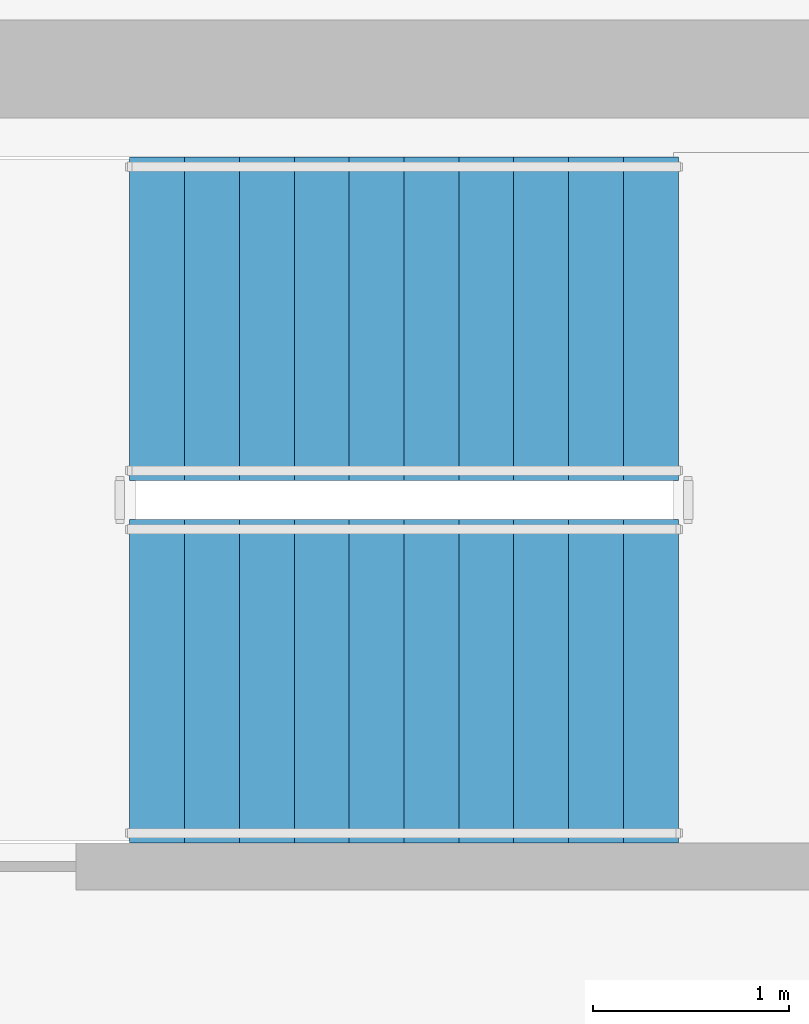
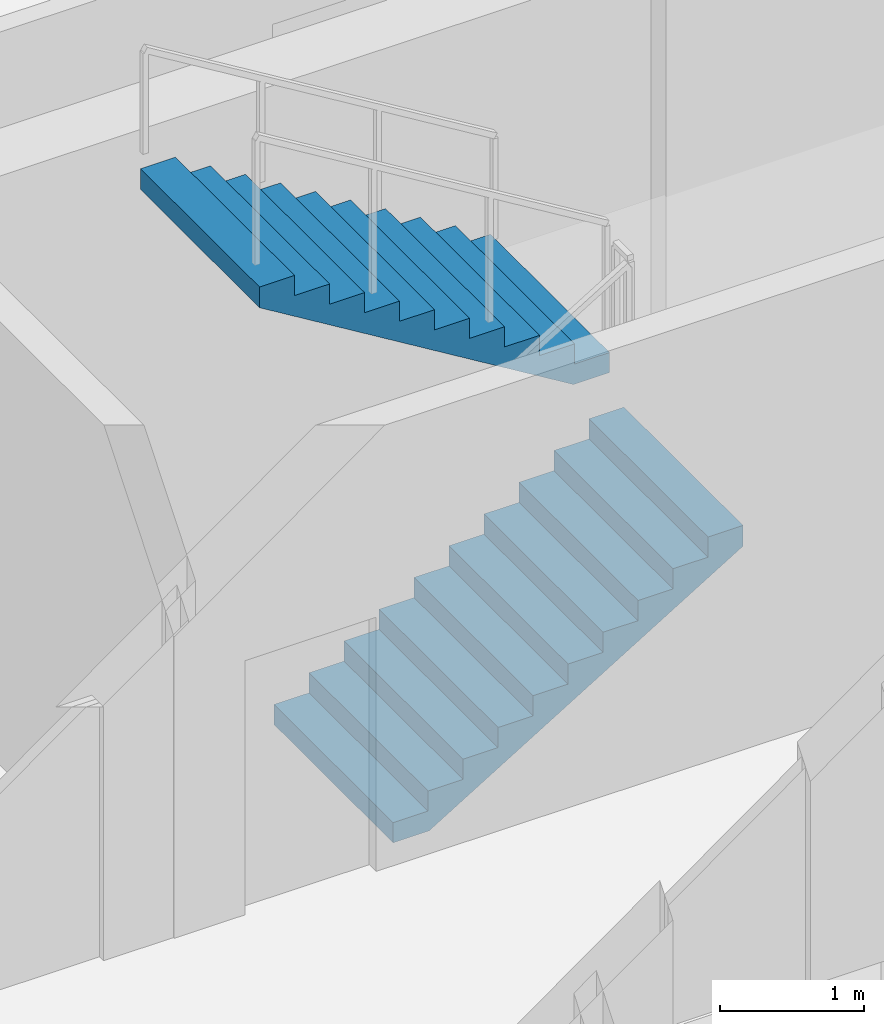
# One storey, part 29 of 34: 2 stair flights, 1 element without a shape of its own.
"""IFC4 building model written with IfcOpenShell, lengths in metres."""

from ifc_helpers import new_model, si_unit, direction, frame, origin, place, context, subcontext, project, spatial, polyline, outline, extrude, material, type_object, element, aggregate, save


model = new_model("IFC4")

# Units and contexts
model_context = context("Model", 3, precision=1e-05, world=origin(), true_north=direction((0.0, 1.0)))
body_context = subcontext(model_context, "Body", "Model", "MODEL_VIEW")
ifc_project = project(units=[si_unit("LENGTHUNIT", "METRE"), si_unit("AREAUNIT", "SQUARE_METRE"), si_unit("VOLUMEUNIT", "CUBIC_METRE"), si_unit("PLANEANGLEUNIT", "RADIAN"), si_unit("MASSUNIT", "GRAM", prefix="KILO")], contexts=[model_context])

# Site, building, storey
site_placement = place(None, origin())
site = spatial("IfcSite", under=ifc_project, at=site_placement, CompositionType="ELEMENT")
building_placement = place(site_placement, origin())
building = spatial("IfcBuilding", under=site, at=building_placement, Name="Haldenkirk Collegiate Tower", CompositionType="ELEMENT")
storey_placement = place(building_placement, frame((0.0, 0.0, 205.949951171875)))
storey = spatial("IfcBuildingStorey", under=building, at=storey_placement, Name="L51", CompositionType="ELEMENT", Elevation=205.949951171875)

# Stair, stair flights
ifc_material = material(Name="Concrete f'c 40 MPa", Category="concrete")
stair_type = type_object("IfcStairType", Name="STR-DOGLEG-1650", PredefinedType="HALF_TURN_STAIR", material=ifc_material)
stair_placement = place(storey_placement, origin())
stair = element("IfcStair", 1, at=stair_placement, inside=storey, type_object=stair_type, Name="L51 Core Exit Stair ST-3", PredefinedType="HALF_TURN_STAIR")
stair_flight_type = type_object("IfcStairFlightType", Name="STF-FLIGHT-1650", PredefinedType="STRAIGHT", material=ifc_material)
stair_flight_1_placement = place(storey_placement, frame((33.64990234375, 30.875, 0.0), z_axis=(0.0, 0.0, 1.0), x_axis=(1.0, 0.0, 0.0)))
stair_flight_1 = element("IfcStairFlight", 2, at=stair_flight_1_placement, type_object=stair_flight_type, Name="ST-3 flight 1", NumberOfRisers=11, NumberOfTreads=10, PredefinedType="STRAIGHT", RiserHeight=0.170454545, TreadLength=0.28, context=body_context, shape_type="SweptSolid", body=[
    extrude(outline(polyline([(0.0, 0.0), (0.0, 0.17041015625), (0.280029296875, 0.17041015625), (0.280029296875, 0.3408203125), (0.56005859375, 0.3408203125), (0.56005859375, 0.511474609375), (0.840087890625, 0.511474609375), (0.840087890625, 0.681884765625), (1.1201171875, 0.681884765625), (1.1201171875, 0.852294921875), (1.39990234375, 0.852294921875), (1.39990234375, 1.022705078125), (1.679931640625, 1.022705078125), (1.679931640625, 1.193115234375), (1.9599609375, 1.193115234375), (1.9599609375, 1.363525390625), (2.239990234375, 1.363525390625), (2.239990234375, 1.5341796875), (2.52001953125, 1.5341796875), (2.52001953125, 1.70458984375), (2.800048828125, 1.70458984375), (2.800048828125, 1.875), (2.800048828125, 1.529052734375), (0.288330078125, 0.0), (0.0, 0.0)])), frame((0.0, 0.824951171875, 0.0), z_axis=(0.0, -1.0, 0.0), x_axis=(1.0, 0.0, 0.0)), (0.0, 0.0, 1.0), 1.64990234375),
])
stair_flight_2_placement = place(storey_placement, frame((36.449951171875, 32.72509765625, 1.875), z_axis=(0.0, 0.0, 1.0), x_axis=(-1.0, 0.0, 0.0)))
stair_flight_2 = element("IfcStairFlight", 3, at=stair_flight_2_placement, type_object=stair_flight_type, Name="ST-3 flight 2", NumberOfRisers=11, NumberOfTreads=10, PredefinedType="STRAIGHT", RiserHeight=0.170454545, TreadLength=0.28, context=body_context, shape_type="SweptSolid", body=[
    extrude(outline(polyline([(0.0, 0.0), (0.0, 0.17041015625), (0.280029296875, 0.17041015625), (0.280029296875, 0.3408203125), (0.56005859375, 0.3408203125), (0.56005859375, 0.511474609375), (0.840087890625, 0.511474609375), (0.840087890625, 0.681884765625), (1.1201171875, 0.681884765625), (1.1201171875, 0.852294921875), (1.39990234375, 0.852294921875), (1.39990234375, 1.022705078125), (1.679931640625, 1.022705078125), (1.679931640625, 1.193115234375), (1.9599609375, 1.193115234375), (1.9599609375, 1.363525390625), (2.239990234375, 1.363525390625), (2.239990234375, 1.5341796875), (2.52001953125, 1.5341796875), (2.52001953125, 1.70458984375), (2.800048828125, 1.70458984375), (2.800048828125, 1.875), (2.800048828125, 1.529052734375), (0.288330078125, 0.0), (0.0, 0.0)])), frame((0.0, 0.824951171875, 0.0), z_axis=(0.0, -1.0, 0.0), x_axis=(1.0, 0.0, 0.0)), (0.0, 0.0, 1.0), 1.64990234375),
])
aggregate(stair, [stair_flight_1, stair_flight_2])

save(model, "model.ifc")
